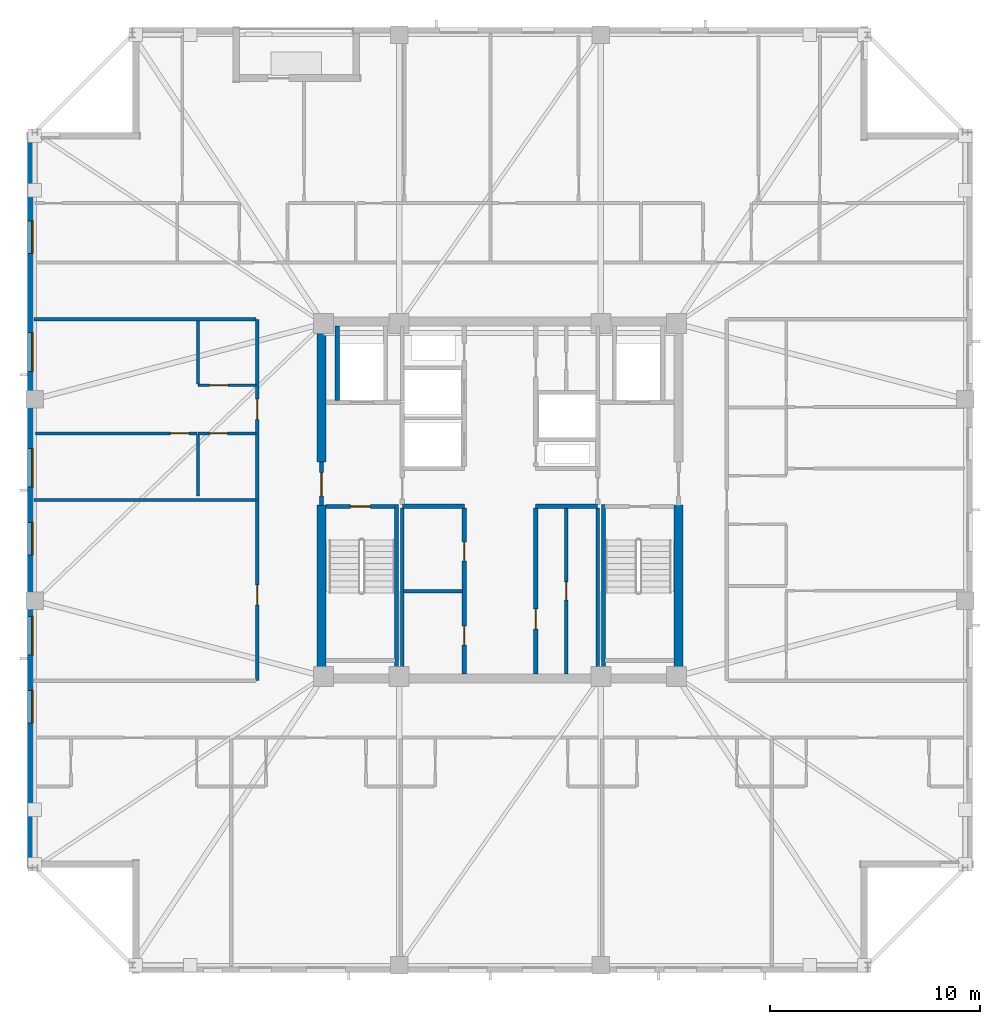
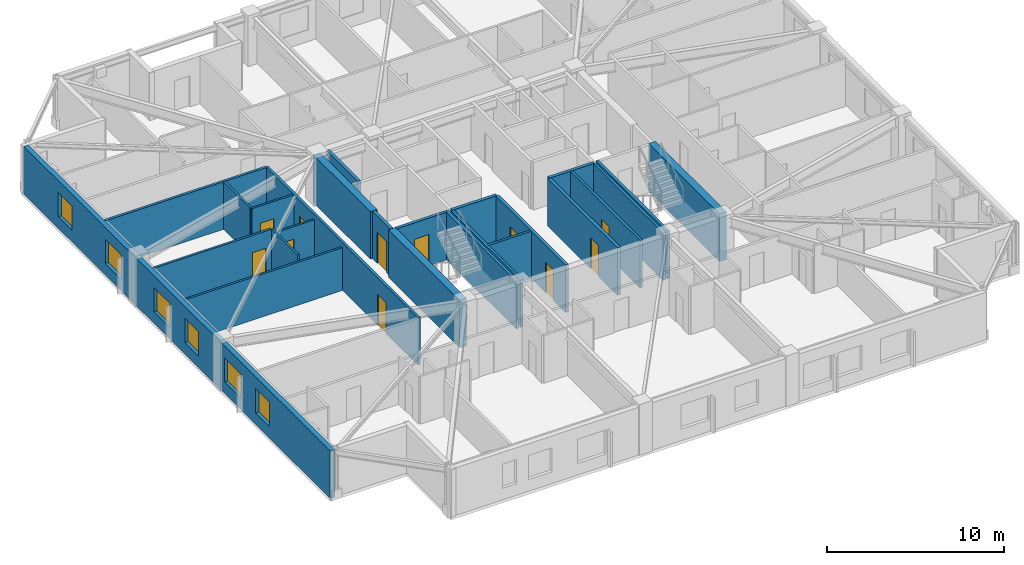
# One storey, part 8 of 17: 25 walls, 11 doors, 6 windows, 17 openings.
"""IFC4 building model written with IfcOpenShell, lengths in metres."""

from ifc_helpers import new_model, si_unit, direction, frame, frame_2d, origin, place, context, subcontext, project, spatial, rectangle, extrude, material, layer, layer_set, type_object, element, fill, save


model = new_model("IFC4")

# Units and contexts
model_context = context("Model", 3, precision=1e-05, world=origin(), true_north=direction((0.0, 1.0)))
body_context = subcontext(model_context, "Body", "Model", "MODEL_VIEW")
ifc_project = project(units=[si_unit("LENGTHUNIT", "METRE"), si_unit("AREAUNIT", "SQUARE_METRE"), si_unit("VOLUMEUNIT", "CUBIC_METRE"), si_unit("PLANEANGLEUNIT", "RADIAN"), si_unit("MASSUNIT", "GRAM", prefix="KILO")], contexts=[model_context])

# Site, building, storey
site_placement = place(None, origin())
site = spatial("IfcSite", under=ifc_project, at=site_placement, CompositionType="ELEMENT")
building_placement = place(site_placement, origin())
building = spatial("IfcBuilding", under=site, at=building_placement, Name="Cairnveth Concourse Tower", CompositionType="ELEMENT")
storey_placement = place(building_placement, frame((0.0, 0.0, 216.5)))
storey = spatial("IfcBuildingStorey", under=building, at=storey_placement, Name="L59", CompositionType="ELEMENT", Elevation=216.5)

# Walls
ifc_material_1 = material(Name="Gypsum Plasterboard Partition", Category="gypsum")
ifc_layer_1 = layer(ifc_material_1, 0.159912109375)
ifc_layer_set_1 = layer_set([ifc_layer_1], Name="Gypsum Plasterboard Partition")
wall_type_1 = type_object("IfcWallType", Name="ACOUSTIC PARTY WALL 180", PredefinedType="PARTITIONING", material=ifc_layer_set_1)
wall_1_placement = place(storey_placement, frame((47.35009765625, 30.7099609375, 0.0), z_axis=(0.0, 0.0, 1.0), x_axis=(0.0, 1.0, 0.0)))
element("IfcWall", 1, at=wall_1_placement, inside=storey, type_object=wall_type_1, Name="Interior Wall IW-L59-025", PredefinedType="PARTITIONING", context=body_context, shape_type="SweptSolid", body=[
    extrude(rectangle(XDim=7.905029296875, YDim=0.159912109375, at=frame_2d((3.95263671875, 0.0))), origin(), (0.0, 0.0, 1.0), 3.2900390625),
])
wall_2_placement = place(storey_placement, frame((47.4150390625, 34.64990234375, 0.0), z_axis=(0.0, 0.0, 1.0), x_axis=(1.0, 0.0, 0.0)))
element("IfcWall", 2, at=wall_2_placement, inside=storey, type_object=wall_type_1, Name="Interior Wall IW-L59-026", PredefinedType="PARTITIONING", context=body_context, shape_type="SweptSolid", body=[
    extrude(rectangle(XDim=2.800048828125, YDim=0.159912109375, at=frame_2d((1.39990234375, 0.0))), origin(), (0.0, 0.0, 1.0), 3.2900390625),
])
wall_3_placement = place(storey_placement, frame((56.64990234375, 30.7099609375, 0.0), z_axis=(0.0, 0.0, 1.0), x_axis=(0.0, 1.0, 0.0)))
element("IfcWall", 3, at=wall_3_placement, inside=storey, type_object=wall_type_1, Name="Interior Wall IW-L59-027", PredefinedType="PARTITIONING", context=body_context, shape_type="SweptSolid", body=[
    extrude(rectangle(XDim=7.905029296875, YDim=0.159912109375, at=frame_2d((3.95263671875, 0.0))), origin(), (0.0, 0.0, 1.0), 3.2900390625),
])

# Wall, opening, door
wall_4_placement = place(storey_placement, frame((55.14990234375, 30.7099609375, 0.0), z_axis=(0.0, 0.0, 1.0), x_axis=(0.0, 1.0, 0.0)))
wall_4 = element("IfcWall", 4, at=wall_4_placement, inside=storey, type_object=wall_type_1, Name="Interior Wall IW-L59-028", PredefinedType="PARTITIONING", context=body_context, shape_type="SweptSolid", body=[
    extrude(rectangle(XDim=7.905029296875, YDim=0.159912109375, at=frame_2d((3.95263671875, 0.0))), origin(), (0.0, 0.0, 1.0), 3.2900390625),
])
opening_1_placement = place(wall_4_placement, frame((3.5400390625, 0.0, 0.0)))
opening_1 = element("IfcOpeningElement", 5, at=opening_1_placement, cuts=wall_4, Name="Opening ID19", PredefinedType="OPENING", context=body_context, shape_type="SweptSolid", body=[
    extrude(rectangle(XDim=0.85009765625, YDim=2.1201171875, at=frame_2d((0.425048828125, 1.06005859375))), frame((0.0, 0.08984375, 0.0), z_axis=(0.0, -1.0, 0.0), x_axis=(1.0, 0.0, 0.0)), (0.0, 0.0, 1.0), 0.179931640625),
])
ifc_material_2 = material(Name="Steel Grade 350", Category="steel")
door_type_1 = type_object("IfcDoorType", Name="CORE SERVICE DOOR 850X2100", OperationType="NOTDEFINED", PredefinedType="DOOR", material=ifc_material_2)
door_1_placement = place(opening_1_placement, origin())
door_1 = element("IfcDoor", 6, at=door_1_placement, inside=storey, type_object=door_type_1, Name="Wine Cellar Door L59", OperationType="SINGLE_SWING_RIGHT", OverallHeight=2.1201171875, OverallWidth=0.85009765625, PredefinedType="DOOR", context=body_context, shape_type="SweptSolid", body=[
    extrude(rectangle(XDim=0.85009765625, YDim=2.1201171875, at=frame_2d((0.425048828125, 1.06005859375))), frame((0.0, 0.02490234375, 0.0), z_axis=(0.0, -1.0, 0.0), x_axis=(1.0, 0.0, 0.0)), (0.0, 0.0, 1.0), 0.050048828125),
])
fill(opening_1, door_1)

# Wall, openings, doors
wall_5_placement = place(storey_placement, frame((40.449951171875, 30.39990234375, 0.0), z_axis=(0.0, 0.0, 1.0), x_axis=(0.0, 1.0, 0.0)))
wall_5 = element("IfcWall", 7, at=wall_5_placement, inside=storey, type_object=wall_type_1, Name="Interior Wall IW-L59-038", PredefinedType="PARTITIONING", context=body_context, shape_type="SweptSolid", body=[
    extrude(rectangle(XDim=17.2001953125, YDim=0.159912109375, at=frame_2d((8.60009765625, 0.0))), origin(), (0.0, 0.0, 1.0), 3.2900390625),
])
opening_2_placement = place(wall_5_placement, frame((3.60009765625, 0.0, 0.0)))
opening_2 = element("IfcOpeningElement", 8, at=opening_2_placement, cuts=wall_5, Name="Opening ID11", PredefinedType="OPENING", context=body_context, shape_type="SweptSolid", body=[
    extrude(rectangle(XDim=0.9599609375, YDim=2.1201171875, at=frame_2d((0.47998046875, 1.06005859375))), frame((0.0, 0.08984375, 0.0), z_axis=(0.0, -1.0, 0.0), x_axis=(1.0, 0.0, 0.0)), (0.0, 0.0, 1.0), 0.179931640625),
])
opening_3_placement = place(wall_5_placement, frame((12.43994140625, 0.0, 0.0)))
opening_3 = element("IfcOpeningElement", 9, at=opening_3_placement, cuts=wall_5, Name="Opening ID10", PredefinedType="OPENING", context=body_context, shape_type="SweptSolid", body=[
    extrude(rectangle(XDim=0.9599609375, YDim=2.179931640625, at=frame_2d((0.47998046875, 1.08984375))), frame((0.0, 0.08984375, 0.0), z_axis=(0.0, -1.0, 0.0), x_axis=(1.0, 0.0, 0.0)), (0.0, 0.0, 1.0), 0.179931640625),
])
ifc_material_3 = material(Name="Solid Core Hardwood Timber Leaf", Category="wood")
door_type_2 = type_object("IfcDoorType", Name="FLAT ENTRANCE DOOR 960X2150", OperationType="NOTDEFINED", PredefinedType="DOOR", material=ifc_material_3)
door_2_placement = place(opening_3_placement, origin())
door_2 = element("IfcDoor", 10, at=door_2_placement, inside=storey, type_object=door_type_2, Name="Apartment L59W1 Entrance Door", OperationType="SINGLE_SWING_RIGHT", OverallHeight=2.179931640625, OverallWidth=0.9599609375, PredefinedType="DOOR", context=body_context, shape_type="SweptSolid", body=[
    extrude(rectangle(XDim=0.9599609375, YDim=2.179931640625, at=frame_2d((0.47998046875, 1.08984375))), frame((0.0, 0.02490234375, 0.0), z_axis=(0.0, -1.0, 0.0), x_axis=(1.0, 0.0, 0.0)), (0.0, 0.0, 1.0), 0.050048828125),
])
fill(opening_3, door_2)
door_type_3 = type_object("IfcDoorType", Name="INTERIOR SINGLE DOOR 960X2150", OperationType="NOTDEFINED", PredefinedType="DOOR", material=ifc_material_3)
door_3_placement = place(opening_2_placement, origin())
door_3 = element("IfcDoor", 11, at=door_3_placement, inside=storey, type_object=door_type_3, Name="Interior Door DR-L59-048", OperationType="SINGLE_SWING_RIGHT", OverallHeight=2.1201171875, OverallWidth=0.9599609375, PredefinedType="DOOR", context=body_context, shape_type="SweptSolid", body=[
    extrude(rectangle(XDim=0.9599609375, YDim=2.1201171875, at=frame_2d((0.47998046875, 1.06005859375))), frame((0.0, 0.02490234375, 0.0), z_axis=(0.0, -1.0, 0.0), x_axis=(1.0, 0.0, 0.0)), (0.0, 0.0, 1.0), 0.050048828125),
])
fill(opening_2, door_3)

# Walls
wall_6_placement = place(storey_placement, frame((29.804931640625, 47.60009765625, 0.0), z_axis=(0.0, 0.0, 1.0), x_axis=(1.0, 0.0, 0.0)))
element("IfcWall", 12, at=wall_6_placement, inside=storey, type_object=wall_type_1, Name="Interior Wall IW-L59-041", PredefinedType="PARTITIONING", context=body_context, shape_type="SweptSolid", body=[
    extrude(rectangle(XDim=10.580078125, YDim=0.159912109375, at=frame_2d((5.2900390625, 0.0))), origin(), (0.0, 0.0, 1.0), 3.2900390625),
])
ifc_material_4 = material(Name="Concrete N65 (65 MPa)", Category="concrete")
ifc_layer_2 = layer(ifc_material_4, 0.449951171875)
ifc_layer_set_2 = layer_set([ifc_layer_2], Name="Concrete N65 (65 MPa)")
wall_type_2 = type_object("IfcWallType", Name="CORE SHEAR WALL 450", PredefinedType="SHEAR", material=ifc_layer_set_2)
wall_7_placement = place(storey_placement, frame((43.5, 30.715087890625, 0.0), z_axis=(0.0, 0.0, 1.0), x_axis=(0.0, 1.0, 0.0)))
element("IfcWall", 13, at=wall_7_placement, inside=storey, type_object=wall_type_2, Name="Core West Shear Wall S L59", PredefinedType="SHEAR", context=body_context, shape_type="SweptSolid", body=[
    extrude(rectangle(XDim=8.034912109375, YDim=0.449951171875, at=frame_2d((4.017578125, 0.0))), origin(), (0.0, 0.0, 1.0), 3.2900390625),
])
wall_8_placement = place(storey_placement, frame((43.5, 40.800048828125, 0.0), z_axis=(0.0, 0.0, 1.0), x_axis=(0.0, 1.0, 0.0)))
element("IfcWall", 14, at=wall_8_placement, inside=storey, type_object=wall_type_2, Name="Core West Shear Wall N L59", PredefinedType="SHEAR", context=body_context, shape_type="SweptSolid", body=[
    extrude(rectangle(XDim=6.48486328125, YDim=0.449951171875, at=frame_2d((3.242431640625, 0.0))), origin(), (0.0, 0.0, 1.0), 3.2900390625),
])
wall_9_placement = place(storey_placement, frame((60.5, 30.715087890625, 0.0), z_axis=(0.0, 0.0, 1.0), x_axis=(0.0, 1.0, 0.0)))
element("IfcWall", 15, at=wall_9_placement, inside=storey, type_object=wall_type_2, Name="Core East Shear Wall S L59", PredefinedType="SHEAR", context=body_context, shape_type="SweptSolid", body=[
    extrude(rectangle(XDim=8.034912109375, YDim=0.449951171875, at=frame_2d((4.017578125, 0.0))), origin(), (0.0, 0.0, 1.0), 3.2900390625),
])

# Wall, opening, door
ifc_material_5 = material(Name="Concrete N50 (50 MPa)", Category="concrete")
ifc_layer_3 = layer(ifc_material_5, 0.179931640625)
ifc_layer_set_3 = layer_set([ifc_layer_3], Name="Concrete N50 (50 MPa)")
wall_type_3 = type_object("IfcWallType", Name="FIRE SHAFT WALL 180", PredefinedType="SOLIDWALL", material=ifc_layer_set_3)
wall_10_placement = place(storey_placement, frame((43.715087890625, 38.68994140625, 0.0), z_axis=(0.0, 0.0, 1.0), x_axis=(1.0, 0.0, 0.0)))
wall_10 = element("IfcWall", 16, at=wall_10_placement, inside=storey, type_object=wall_type_3, Name="Stair ST-1 Shaft Wall NEAR L59", PredefinedType="SOLIDWALL", context=body_context, shape_type="SweptSolid", body=[
    extrude(rectangle(XDim=3.280029296875, YDim=0.179931640625, at=frame_2d((1.64013671875, 0.0))), origin(), (0.0, 0.0, 1.0), 3.2900390625),
])
opening_4_placement = place(wall_10_placement, frame((1.1650390625, 0.0, 0.0)))
opening_4 = element("IfcOpeningElement", 17, at=opening_4_placement, cuts=wall_10, Name="Opening ID12", PredefinedType="OPENING", context=body_context, shape_type="SweptSolid", body=[
    extrude(rectangle(XDim=0.949951171875, YDim=2.14990234375, at=frame_2d((0.47509765625, 1.074951171875))), frame((0.0, 0.099853515625, 0.0), z_axis=(0.0, -1.0, 0.0), x_axis=(1.0, 0.0, 0.0)), (0.0, 0.0, 1.0), 0.199951171875),
])
door_type_4 = type_object("IfcDoorType", Name="FIRE STAIR DOOR 950X2150", OperationType="NOTDEFINED", PredefinedType="DOOR", material=ifc_material_2)
door_4_placement = place(opening_4_placement, origin())
door_4 = element("IfcDoor", 18, at=door_4_placement, inside=storey, type_object=door_type_4, Name="Stair ST-1 Fire Door L59", OperationType="SINGLE_SWING_LEFT", OverallHeight=2.14990234375, OverallWidth=0.949951171875, PredefinedType="DOOR", context=body_context, shape_type="SweptSolid", body=[
    extrude(rectangle(XDim=0.949951171875, YDim=2.14990234375, at=frame_2d((0.47509765625, 1.074951171875))), frame((0.0, 0.02490234375, 0.0), z_axis=(0.0, -1.0, 0.0), x_axis=(1.0, 0.0, 0.0)), (0.0, 0.0, 1.0), 0.050048828125),
])
fill(opening_4, door_4)

# Walls
for number, where, z_axis, x_axis, name in (
    (19, (47.070068359375, 38.780029296875, 0.0), (0.0, 0.0, 1.0), (0.0, -1.0, 0.0), "Stair ST-1 Shaft Wall RGHT L59"),
    (20, (56.929931640625, 38.780029296875, 0.0), (0.0, 0.0, 1.0), (0.0, -1.0, 0.0), "Stair ST-2 Shaft Wall LEFT L59"),
):
    element("IfcWall", number, at=place(storey_placement, frame(where, z_axis=z_axis, x_axis=x_axis)), inside=storey, type_object=wall_type_3, Name=name, PredefinedType="SOLIDWALL", context=body_context, shape_type="SweptSolid", body=[
        extrude(rectangle(XDim=8.067138671875, YDim=0.179931640625, at=frame_2d((4.03369140625, 0.0))), origin(), (0.0, 0.0, 1.0), 3.2900390625),
    ])
ifc_layer_4 = layer(ifc_material_5, 0.199951171875)
ifc_layer_set_4 = layer_set([ifc_layer_4], Name="Concrete N50 (50 MPa)")
wall_type_4 = type_object("IfcWallType", Name="FIRE SHAFT WALL 200", PredefinedType="SOLIDWALL", material=ifc_layer_set_4)
for number, where, z_axis, x_axis, name in (
    (21, (47.35009765625, 38.699951171875, 0.0), (0.0, 0.0, 1.0), (1.0, 0.0, 0.0), "Interior Wall IW-L59-007"),
    (22, (53.699951171875, 38.699951171875, 0.0), (0.0, 0.0, 1.0), (1.0, 0.0, 0.0), "Interior Wall IW-L59-009"),
):
    element("IfcWall", number, at=place(storey_placement, frame(where, z_axis=z_axis, x_axis=x_axis)), inside=storey, type_object=wall_type_4, Name=name, PredefinedType="SOLIDWALL", context=body_context, shape_type="SweptSolid", body=[
        extrude(rectangle(XDim=2.949951171875, YDim=0.199951171875, at=frame_2d((1.47509765625, 0.0))), origin(), (0.0, 0.0, 1.0), 3.2900390625),
    ])

# Wall, openings, doors
wall_11_placement = place(storey_placement, frame((50.300048828125, 30.7099609375, 0.0), z_axis=(0.0, 0.0, 1.0), x_axis=(0.0, 1.0, 0.0)))
wall_11 = element("IfcWall", 23, at=wall_11_placement, inside=storey, type_object=wall_type_4, Name="Interior Wall IW-L59-011", PredefinedType="SOLIDWALL", context=body_context, shape_type="SweptSolid", body=[
    extrude(rectangle(XDim=7.905029296875, YDim=0.199951171875, at=frame_2d((3.95263671875, 0.0))), origin(), (0.0, 0.0, 1.0), 3.2900390625),
])
opening_5_placement = place(wall_11_placement, frame((1.389892578125, 0.0, 0.0)))
opening_5 = element("IfcOpeningElement", 24, at=opening_5_placement, cuts=wall_11, Name="Opening ID26", PredefinedType="OPENING", context=body_context, shape_type="SweptSolid", body=[
    extrude(rectangle(XDim=0.89990234375, YDim=2.1201171875, at=frame_2d((0.449951171875, 1.06005859375))), frame((0.0, 0.10986328125, 0.0), z_axis=(0.0, -1.0, 0.0), x_axis=(1.0, 0.0, 0.0)), (0.0, 0.0, 1.0), 0.219970703125),
])
opening_6_placement = place(wall_11_placement, frame((5.389892578125, 0.0, 0.0)))
opening_6 = element("IfcOpeningElement", 25, at=opening_6_placement, cuts=wall_11, Name="Opening ID26", PredefinedType="OPENING", context=body_context, shape_type="SweptSolid", body=[
    extrude(rectangle(XDim=0.89990234375, YDim=2.1201171875, at=frame_2d((0.449951171875, 1.06005859375))), frame((0.0, 0.10986328125, 0.0), z_axis=(0.0, -1.0, 0.0), x_axis=(1.0, 0.0, 0.0)), (0.0, 0.0, 1.0), 0.219970703125),
])
door_type_5 = type_object("IfcDoorType", Name="CORE TOILET FIRE DOOR 900X2120", OperationType="NOTDEFINED", PredefinedType="DOOR", material=ifc_material_2)
door_5_placement = place(opening_5_placement, origin())
door_5 = element("IfcDoor", 26, at=door_5_placement, inside=storey, type_object=door_type_5, Name="Male WC Door L59", OperationType="SINGLE_SWING_LEFT", OverallHeight=2.1201171875, OverallWidth=0.89990234375, PredefinedType="DOOR", context=body_context, shape_type="SweptSolid", body=[
    extrude(rectangle(XDim=0.89990234375, YDim=2.1201171875, at=frame_2d((0.449951171875, 1.06005859375))), frame((0.0, 0.02490234375, 0.0), z_axis=(0.0, -1.0, 0.0), x_axis=(1.0, 0.0, 0.0)), (0.0, 0.0, 1.0), 0.050048828125),
])
fill(opening_5, door_5)
door_6_placement = place(opening_6_placement, origin())
door_6 = element("IfcDoor", 27, at=door_6_placement, inside=storey, type_object=door_type_5, Name="Female WC Door L59", OperationType="SINGLE_SWING_RIGHT", OverallHeight=2.1201171875, OverallWidth=0.89990234375, PredefinedType="DOOR", context=body_context, shape_type="SweptSolid", body=[
    extrude(rectangle(XDim=0.89990234375, YDim=2.1201171875, at=frame_2d((0.449951171875, 1.06005859375))), frame((0.0, 0.02490234375, 0.0), z_axis=(0.0, -1.0, 0.0), x_axis=(1.0, 0.0, 0.0)), (0.0, 0.0, 1.0), 0.050048828125),
])
fill(opening_6, door_6)

# Wall, opening, door
wall_12_placement = place(storey_placement, frame((53.699951171875, 30.7099609375, 0.0), z_axis=(0.0, 0.0, 1.0), x_axis=(0.0, 1.0, 0.0)))
wall_12 = element("IfcWall", 28, at=wall_12_placement, inside=storey, type_object=wall_type_4, Name="Interior Wall IW-L59-012", PredefinedType="SOLIDWALL", context=body_context, shape_type="SweptSolid", body=[
    extrude(rectangle(XDim=7.905029296875, YDim=0.199951171875, at=frame_2d((3.95263671875, 0.0))), origin(), (0.0, 0.0, 1.0), 3.2900390625),
])
opening_7_placement = place(wall_12_placement, frame((2.139892578125, 0.0, 0.0)))
opening_7 = element("IfcOpeningElement", 29, at=opening_7_placement, cuts=wall_12, Name="Opening ID25", PredefinedType="OPENING", context=body_context, shape_type="SweptSolid", body=[
    extrude(rectangle(XDim=0.949951171875, YDim=2.1201171875, at=frame_2d((0.47509765625, 1.06005859375))), frame((0.0, 0.10986328125, 0.0), z_axis=(0.0, -1.0, 0.0), x_axis=(1.0, 0.0, 0.0)), (0.0, 0.0, 1.0), 0.219970703125),
])
door_type_6 = type_object("IfcDoorType", Name="CORE ACCESSIBLE FIRE DOOR 950X2120", OperationType="NOTDEFINED", PredefinedType="DOOR", material=ifc_material_2)
door_7_placement = place(opening_7_placement, origin())
door_7 = element("IfcDoor", 30, at=door_7_placement, inside=storey, type_object=door_type_6, Name="Sky Restroom Door L59", OperationType="SINGLE_SWING_LEFT", OverallHeight=2.1201171875, OverallWidth=0.949951171875, PredefinedType="DOOR", context=body_context, shape_type="SweptSolid", body=[
    extrude(rectangle(XDim=0.949951171875, YDim=2.1201171875, at=frame_2d((0.47509765625, 1.06005859375))), frame((0.0, 0.02490234375, 0.0), z_axis=(0.0, -1.0, 0.0), x_axis=(1.0, 0.0, 0.0)), (0.0, 0.0, 1.0), 0.050048828125),
])
fill(opening_7, door_7)

wall_13_placement = place(storey_placement, frame((43.5, 38.75, 0.0), z_axis=(0.0, 0.0, 1.0), x_axis=(0.0, 1.0, 0.0)))
wall_13 = element("IfcWall", 31, at=wall_13_placement, inside=storey, type_object=wall_type_4, Name="Interior Wall IW-L59-015", PredefinedType="SOLIDWALL", context=body_context, shape_type="SweptSolid", body=[
    extrude(rectangle(XDim=2.050048828125, YDim=0.199951171875, at=frame_2d((1.02490234375, 0.0))), origin(), (0.0, 0.0, 1.0), 3.2900390625),
])
opening_8_placement = place(wall_13_placement, frame((0.449951171875, 0.0, 0.0)))
opening_8 = element("IfcOpeningElement", 32, at=opening_8_placement, cuts=wall_13, Name="Opening ID06", PredefinedType="OPENING", context=body_context, shape_type="SweptSolid", body=[
    extrude(rectangle(XDim=1.10009765625, YDim=2.14990234375, at=frame_2d((0.550048828125, 1.074951171875))), frame((0.0, 0.10986328125, 0.0), z_axis=(0.0, -1.0, 0.0), x_axis=(1.0, 0.0, 0.0)), (0.0, 0.0, 1.0), 0.219970703125),
])
door_type_7 = type_object("IfcDoorType", Name="FIRE CORRIDOR DOOR 1100X2150", OperationType="NOTDEFINED", PredefinedType="DOOR", material=ifc_material_2)
door_8_placement = place(opening_8_placement, origin())
door_8 = element("IfcDoor", 33, at=door_8_placement, inside=storey, type_object=door_type_7, Name="West Wing to FF Lobby Door L59", OperationType="SINGLE_SWING_LEFT", OverallHeight=2.14990234375, OverallWidth=1.10009765625, PredefinedType="DOOR", context=body_context, shape_type="SweptSolid", body=[
    extrude(rectangle(XDim=1.10009765625, YDim=2.14990234375, at=frame_2d((0.550048828125, 1.074951171875))), frame((0.0, 0.02490234375, 0.0), z_axis=(0.0, -1.0, 0.0), x_axis=(1.0, 0.0, 0.0)), (0.0, 0.0, 1.0), 0.050048828125),
])
fill(opening_8, door_8)

# Walls
wall_14_placement = place(storey_placement, frame((44.25, 43.735107421875, 0.0), z_axis=(0.0, 0.0, 1.0), x_axis=(0.0, 1.0, 0.0)))
element("IfcWall", 34, at=wall_14_placement, inside=storey, type_object=wall_type_4, Name="Interior Wall IW-L59-019", PredefinedType="SOLIDWALL", context=body_context, shape_type="SweptSolid", body=[
    extrude(rectangle(XDim=3.554931640625, YDim=0.199951171875, at=frame_2d((1.77734375, 0.0))), origin(), (0.0, 0.0, 1.0), 3.2900390625),
])
ifc_layer_5 = layer(ifc_material_1, 0.139892578125)
ifc_layer_set_5 = layer_set([ifc_layer_5], Name="Gypsum Plasterboard Partition")
wall_type_5 = type_object("IfcWallType", Name="GYPSUM STUD PARTITION 140", PredefinedType="PARTITIONING", material=ifc_layer_set_5)
wall_15_placement = place(storey_placement, frame((29.804931640625, 39.0, 0.0), z_axis=(0.0, 0.0, 1.0), x_axis=(1.0, 0.0, 0.0)))
element("IfcWall", 35, at=wall_15_placement, inside=storey, type_object=wall_type_5, Name="Interior Wall IW-L59-091", PredefinedType="PARTITIONING", context=body_context, shape_type="SweptSolid", body=[
    extrude(rectangle(XDim=10.565185546875, YDim=0.139892578125, at=frame_2d((5.28271484375, 0.0))), origin(), (0.0, 0.0, 1.0), 2.9580078125),
])

# Wall, opening, door
wall_16_placement = place(storey_placement, frame((29.8798828125, 42.169921875, 0.0), z_axis=(0.0, 0.0, 1.0), x_axis=(1.0, 0.0, 0.0)))
wall_16 = element("IfcWall", 36, at=wall_16_placement, inside=storey, type_object=wall_type_5, Name="Interior Wall IW-L59-096", PredefinedType="PARTITIONING", context=body_context, shape_type="SweptSolid", body=[
    extrude(rectangle(XDim=7.690185546875, YDim=0.139892578125, at=frame_2d((3.84521484375, 0.0))), origin(), (0.0, 0.0, 1.0), 3.2900390625),
])
opening_9_placement = place(wall_16_placement, frame((6.429931640625, 0.0, 0.0)))
opening_9 = element("IfcOpeningElement", 37, at=opening_9_placement, cuts=wall_16, Name="Opening ID18", PredefinedType="OPENING", context=body_context, shape_type="SweptSolid", body=[
    extrude(rectangle(XDim=0.8798828125, YDim=2.10009765625, at=frame_2d((0.43994140625, 1.050048828125))), frame((0.0, 0.079833984375, 0.0), z_axis=(0.0, -1.0, 0.0), x_axis=(1.0, 0.0, 0.0)), (0.0, 0.0, 1.0), 0.159912109375),
])
door_type_8 = type_object("IfcDoorType", Name="INTERIOR SINGLE DOOR 880X2100", OperationType="NOTDEFINED", PredefinedType="DOOR", material=ifc_material_3)
door_9_placement = place(opening_9_placement, origin())
door_9 = element("IfcDoor", 38, at=door_9_placement, inside=storey, type_object=door_type_8, Name="L59W1 Master Bedroom Door", OperationType="SINGLE_SWING_LEFT", OverallHeight=2.10009765625, OverallWidth=0.8798828125, PredefinedType="DOOR", context=body_context, shape_type="SweptSolid", body=[
    extrude(rectangle(XDim=0.8798828125, YDim=2.10009765625, at=frame_2d((0.43994140625, 1.050048828125))), frame((0.0, 0.02490234375, 0.0), z_axis=(0.0, -1.0, 0.0), x_axis=(1.0, 0.0, 0.0)), (0.0, 0.0, 1.0), 0.050048828125),
])
fill(opening_9, door_9)

ifc_layer_6 = layer(ifc_material_1, 0.1298828125)
ifc_layer_set_6 = layer_set([ifc_layer_6], Name="Gypsum Plasterboard Partition")
wall_type_6 = type_object("IfcWallType", Name="WET AREA PARTITION 140", PredefinedType="PLUMBINGWALL", material=ifc_layer_set_6)
wall_17_placement = place(storey_placement, frame((37.6201171875, 42.169921875, 0.0), z_axis=(0.0, 0.0, 1.0), x_axis=(1.0, 0.0, 0.0)))
wall_17 = element("IfcWall", 39, at=wall_17_placement, inside=storey, type_object=wall_type_6, Name="Interior Wall IW-L59-092", PredefinedType="PLUMBINGWALL", context=body_context, shape_type="SweptSolid", body=[
    extrude(rectangle(XDim=2.75, YDim=0.1298828125, at=frame_2d((1.375, 0.0))), origin(), (0.0, 0.0, 1.0), 2.9580078125),
])
opening_10_placement = place(wall_17_placement, frame((0.550048828125, 0.0, 0.0)))
opening_10 = element("IfcOpeningElement", 40, at=opening_10_placement, cuts=wall_17, Name="Opening ID21", PredefinedType="OPENING", context=body_context, shape_type="SweptSolid", body=[
    extrude(rectangle(XDim=0.85009765625, YDim=2.080078125, at=frame_2d((0.425048828125, 1.0400390625))), frame((0.0, 0.074951171875, 0.0), z_axis=(0.0, -1.0, 0.0), x_axis=(1.0, 0.0, 0.0)), (0.0, 0.0, 1.0), 0.14990234375),
])
door_type_9 = type_object("IfcDoorType", Name="INTERIOR WC DOOR 850X2100", OperationType="NOTDEFINED", PredefinedType="DOOR", material=ifc_material_3)
door_10_placement = place(opening_10_placement, origin())
door_10 = element("IfcDoor", 41, at=door_10_placement, inside=storey, type_object=door_type_9, Name="L59W1 Bathroom Door", OperationType="SINGLE_SWING_LEFT", OverallHeight=2.080078125, OverallWidth=0.85009765625, PredefinedType="DOOR", context=body_context, shape_type="SweptSolid", body=[
    extrude(rectangle(XDim=0.85009765625, YDim=2.080078125, at=frame_2d((0.425048828125, 1.0400390625))), frame((0.0, 0.02490234375, 0.0), z_axis=(0.0, -1.0, 0.0), x_axis=(1.0, 0.0, 0.0)), (0.0, 0.0, 1.0), 0.050048828125),
])
fill(opening_10, door_10)

# Wall
wall_18_placement = place(storey_placement, frame((37.6201171875, 39.179931640625, 0.0), z_axis=(0.0, 0.0, 1.0), x_axis=(0.0, 1.0, 0.0)))
element("IfcWall", 42, at=wall_18_placement, inside=storey, type_object=wall_type_6, Name="Interior Wall IW-L59-093", PredefinedType="PLUMBINGWALL", context=body_context, shape_type="SweptSolid", body=[
    extrude(rectangle(XDim=2.940185546875, YDim=0.1298828125, at=frame_2d((1.47021484375, 0.0))), origin(), (0.0, 0.0, 1.0), 3.2900390625),
])

# Wall, opening, door
wall_19_placement = place(storey_placement, frame((37.6201171875, 44.469970703125, 0.0), z_axis=(0.0, 0.0, 1.0), x_axis=(1.0, 0.0, 0.0)))
wall_19 = element("IfcWall", 43, at=wall_19_placement, inside=storey, type_object=wall_type_6, Name="Interior Wall IW-L59-094", PredefinedType="PLUMBINGWALL", context=body_context, shape_type="SweptSolid", body=[
    extrude(rectangle(XDim=2.75, YDim=0.1298828125, at=frame_2d((1.375, 0.0))), origin(), (0.0, 0.0, 1.0), 3.2900390625),
])
opening_11_placement = place(wall_19_placement, frame((0.550048828125, 0.0, 0.0)))
opening_11 = element("IfcOpeningElement", 44, at=opening_11_placement, cuts=wall_19, Name="Opening ID18", PredefinedType="OPENING", context=body_context, shape_type="SweptSolid", body=[
    extrude(rectangle(XDim=0.8798828125, YDim=2.10009765625, at=frame_2d((0.43994140625, 1.050048828125))), frame((0.0, 0.074951171875, 0.0), z_axis=(0.0, -1.0, 0.0), x_axis=(1.0, 0.0, 0.0)), (0.0, 0.0, 1.0), 0.14990234375),
])
door_11_placement = place(opening_11_placement, origin())
door_11 = element("IfcDoor", 45, at=door_11_placement, inside=storey, type_object=door_type_8, Name="L59W1 Kitchen Door", OperationType="SINGLE_SWING_RIGHT", OverallHeight=2.10009765625, OverallWidth=0.8798828125, PredefinedType="DOOR", context=body_context, shape_type="SweptSolid", body=[
    extrude(rectangle(XDim=0.8798828125, YDim=2.10009765625, at=frame_2d((0.43994140625, 1.050048828125))), frame((0.0, 0.02490234375, 0.0), z_axis=(0.0, -1.0, 0.0), x_axis=(1.0, 0.0, 0.0)), (0.0, 0.0, 1.0), 0.050048828125),
])
fill(opening_11, door_11)

# Wall
wall_20_placement = place(storey_placement, frame((37.6201171875, 44.52001953125, 0.0), z_axis=(0.0, 0.0, 1.0), x_axis=(0.0, 1.0, 0.0)))
element("IfcWall", 46, at=wall_20_placement, inside=storey, type_object=wall_type_6, Name="Interior Wall IW-L59-095", PredefinedType="PLUMBINGWALL", context=body_context, shape_type="SweptSolid", body=[
    extrude(rectangle(XDim=3.014892578125, YDim=0.1298828125, at=frame_2d((1.50732421875, 0.0))), origin(), (0.0, 0.0, 1.0), 3.2900390625),
])

# Wall, openings, windows
ifc_material_6 = material(Name="Melbourne Buff Fired Clay Brick Masonry", Category="masonry")
ifc_layer_7 = layer(ifc_material_6, 0.320068359375)
ifc_layer_set_7 = layer_set([ifc_layer_7], Name="Melbourne Buff Fired Clay Brick Masonry")
wall_type_7 = type_object("IfcWallType", Name="ZONE 3 BRICK PIER SPANDREL WALL 320", PredefinedType="SOLIDWALL", material=ifc_layer_set_7)
wall_21_placement = place(storey_placement, frame((29.659912109375, 21.5, 0.0), z_axis=(0.0, 0.0, 1.0), x_axis=(0.0, 1.0, 0.0)))
wall_21 = element("IfcWall", 47, at=wall_21_placement, inside=storey, type_object=wall_type_7, Name="Exterior Wall EW-L59-S09", PredefinedType="SOLIDWALL", context=body_context, shape_type="SweptSolid", body=[
    extrude(rectangle(XDim=34.701904296875, YDim=0.320068359375, at=frame_2d((17.35107421875, 0.0))), origin(), (0.0, 0.0, 1.0), 3.2900390625),
])
opening_12_placement = place(wall_21_placement, frame((6.887939453125, 0.0, 0.800048828125)))
opening_12 = element("IfcOpeningElement", 48, at=opening_12_placement, cuts=wall_21, Name="Opening W07", PredefinedType="OPENING", context=body_context, shape_type="SweptSolid", body=[
    extrude(rectangle(XDim=1.550048828125, YDim=1.677978515625, at=frame_2d((0.77490234375, 0.8388671875))), frame((0.0, 0.169921875, 0.0), z_axis=(0.0, -1.0, 0.0), x_axis=(1.0, 0.0, 0.0)), (0.0, 0.0, 1.0), 0.340087890625),
])
opening_13_placement = place(wall_21_placement, frame((10.113037109375, 0.0, 0.800048828125)))
opening_13 = element("IfcOpeningElement", 49, at=opening_13_placement, cuts=wall_21, Name="Opening W08", PredefinedType="OPENING", context=body_context, shape_type="SweptSolid", body=[
    extrude(rectangle(XDim=1.85009765625, YDim=1.677978515625, at=frame_2d((0.925048828125, 0.8388671875))), frame((0.0, 0.169921875, 0.0), z_axis=(0.0, -1.0, 0.0), x_axis=(1.0, 0.0, 0.0)), (0.0, 0.0, 1.0), 0.340087890625),
])
opening_14_placement = place(wall_21_placement, frame((14.888427734375, 0.0, 0.800048828125)))
opening_14 = element("IfcOpeningElement", 50, at=opening_14_placement, cuts=wall_21, Name="Opening W07", PredefinedType="OPENING", context=body_context, shape_type="SweptSolid", body=[
    extrude(rectangle(XDim=1.550048828125, YDim=1.677978515625, at=frame_2d((0.77490234375, 0.8388671875))), frame((0.0, 0.169921875, 0.0), z_axis=(0.0, -1.0, 0.0), x_axis=(1.0, 0.0, 0.0)), (0.0, 0.0, 1.0), 0.340087890625),
])
opening_15_placement = place(wall_21_placement, frame((18.113525390625, 0.0, 0.800048828125)))
opening_15 = element("IfcOpeningElement", 51, at=opening_15_placement, cuts=wall_21, Name="Opening W08", PredefinedType="OPENING", context=body_context, shape_type="SweptSolid", body=[
    extrude(rectangle(XDim=1.85009765625, YDim=1.677978515625, at=frame_2d((0.925048828125, 0.8388671875))), frame((0.0, 0.169921875, 0.0), z_axis=(0.0, -1.0, 0.0), x_axis=(1.0, 0.0, 0.0)), (0.0, 0.0, 1.0), 0.340087890625),
])
opening_16_placement = place(wall_21_placement, frame((23.614013671875, 0.0, 0.800048828125)))
opening_16 = element("IfcOpeningElement", 52, at=opening_16_placement, cuts=wall_21, Name="Opening W08", PredefinedType="OPENING", context=body_context, shape_type="SweptSolid", body=[
    extrude(rectangle(XDim=1.85009765625, YDim=1.677978515625, at=frame_2d((0.925048828125, 0.8388671875))), frame((0.0, 0.169921875, 0.0), z_axis=(0.0, -1.0, 0.0), x_axis=(1.0, 0.0, 0.0)), (0.0, 0.0, 1.0), 0.340087890625),
])
opening_17_placement = place(wall_21_placement, frame((29.239501953125, 0.0, 0.800048828125)))
opening_17 = element("IfcOpeningElement", 53, at=opening_17_placement, cuts=wall_21, Name="Opening W07", PredefinedType="OPENING", context=body_context, shape_type="SweptSolid", body=[
    extrude(rectangle(XDim=1.550048828125, YDim=1.677978515625, at=frame_2d((0.77490234375, 0.8388671875))), frame((0.0, 0.169921875, 0.0), z_axis=(0.0, -1.0, 0.0), x_axis=(1.0, 0.0, 0.0)), (0.0, 0.0, 1.0), 0.340087890625),
])
ifc_material_7 = material(Name="Double Glazed Low-E Clear Glass", Category="glass")
window_type_1 = type_object("IfcWindowType", Name="DEEP-SET APARTMENT LIVING WINDOW 1850X1850", PartitioningType="DOUBLE_PANEL_VERTICAL", PredefinedType="WINDOW", material=ifc_material_7)
window_1_placement = place(opening_13_placement, origin())
window_1 = element("IfcWindow", 54, at=window_1_placement, inside=storey, type_object=window_type_1, Name="Gothic Lancet Window L59-9-3", OverallHeight=1.677978515625, OverallWidth=1.85009765625, PartitioningType="SINGLE_PANEL", PredefinedType="WINDOW", context=body_context, shape_type="SweptSolid", body=[
    extrude(rectangle(XDim=1.85009765625, YDim=1.677978515625, at=frame_2d((0.925048828125, 0.8388671875))), frame((0.0, -0.050048828125, 0.0), z_axis=(0.0, -1.0, 0.0), x_axis=(1.0, 0.0, 0.0)), (0.0, 0.0, 1.0), 0.06005859375),
])
fill(opening_13, window_1)
window_2_placement = place(opening_15_placement, origin())
window_2 = element("IfcWindow", 55, at=window_2_placement, inside=storey, type_object=window_type_1, Name="Gothic Lancet Window L59-9-5", OverallHeight=1.677978515625, OverallWidth=1.85009765625, PartitioningType="SINGLE_PANEL", PredefinedType="WINDOW", context=body_context, shape_type="SweptSolid", body=[
    extrude(rectangle(XDim=1.85009765625, YDim=1.677978515625, at=frame_2d((0.925048828125, 0.8388671875))), frame((0.0, -0.050048828125, 0.0), z_axis=(0.0, -1.0, 0.0), x_axis=(1.0, 0.0, 0.0)), (0.0, 0.0, 1.0), 0.06005859375),
])
fill(opening_15, window_2)
window_3_placement = place(opening_16_placement, origin())
window_3 = element("IfcWindow", 56, at=window_3_placement, inside=storey, type_object=window_type_1, Name="Gothic Lancet Window L59-9-7", OverallHeight=1.677978515625, OverallWidth=1.85009765625, PartitioningType="SINGLE_PANEL", PredefinedType="WINDOW", context=body_context, shape_type="SweptSolid", body=[
    extrude(rectangle(XDim=1.85009765625, YDim=1.677978515625, at=frame_2d((0.925048828125, 0.8388671875))), frame((0.0, -0.050048828125, 0.0), z_axis=(0.0, -1.0, 0.0), x_axis=(1.0, 0.0, 0.0)), (0.0, 0.0, 1.0), 0.06005859375),
])
fill(opening_16, window_3)
window_type_2 = type_object("IfcWindowType", Name="DEEP-SET APARTMENT WINDOW 1550X1800", PartitioningType="DOUBLE_PANEL_VERTICAL", PredefinedType="WINDOW", material=ifc_material_7)
window_4_placement = place(opening_12_placement, origin())
window_4 = element("IfcWindow", 57, at=window_4_placement, inside=storey, type_object=window_type_2, Name="Gothic Lancet Window L59-9-2", OverallHeight=1.677978515625, OverallWidth=1.550048828125, PartitioningType="SINGLE_PANEL", PredefinedType="WINDOW", context=body_context, shape_type="SweptSolid", body=[
    extrude(rectangle(XDim=1.550048828125, YDim=1.677978515625, at=frame_2d((0.77490234375, 0.8388671875))), frame((0.0, -0.050048828125, 0.0), z_axis=(0.0, -1.0, 0.0), x_axis=(1.0, 0.0, 0.0)), (0.0, 0.0, 1.0), 0.06005859375),
])
fill(opening_12, window_4)
window_5_placement = place(opening_14_placement, origin())
window_5 = element("IfcWindow", 58, at=window_5_placement, inside=storey, type_object=window_type_2, Name="Gothic Lancet Window L59-9-4", OverallHeight=1.677978515625, OverallWidth=1.550048828125, PartitioningType="SINGLE_PANEL", PredefinedType="WINDOW", context=body_context, shape_type="SweptSolid", body=[
    extrude(rectangle(XDim=1.550048828125, YDim=1.677978515625, at=frame_2d((0.77490234375, 0.8388671875))), frame((0.0, -0.050048828125, 0.0), z_axis=(0.0, -1.0, 0.0), x_axis=(1.0, 0.0, 0.0)), (0.0, 0.0, 1.0), 0.06005859375),
])
fill(opening_14, window_5)
window_6_placement = place(opening_17_placement, origin())
window_6 = element("IfcWindow", 59, at=window_6_placement, inside=storey, type_object=window_type_2, Name="Gothic Lancet Window L59-9-8", OverallHeight=1.677978515625, OverallWidth=1.550048828125, PartitioningType="SINGLE_PANEL", PredefinedType="WINDOW", context=body_context, shape_type="SweptSolid", body=[
    extrude(rectangle(XDim=1.550048828125, YDim=1.677978515625, at=frame_2d((0.77490234375, 0.8388671875))), frame((0.0, -0.050048828125, 0.0), z_axis=(0.0, -1.0, 0.0), x_axis=(1.0, 0.0, 0.0)), (0.0, 0.0, 1.0), 0.06005859375),
])
fill(opening_17, window_6)

save(model, "model.ifc")
